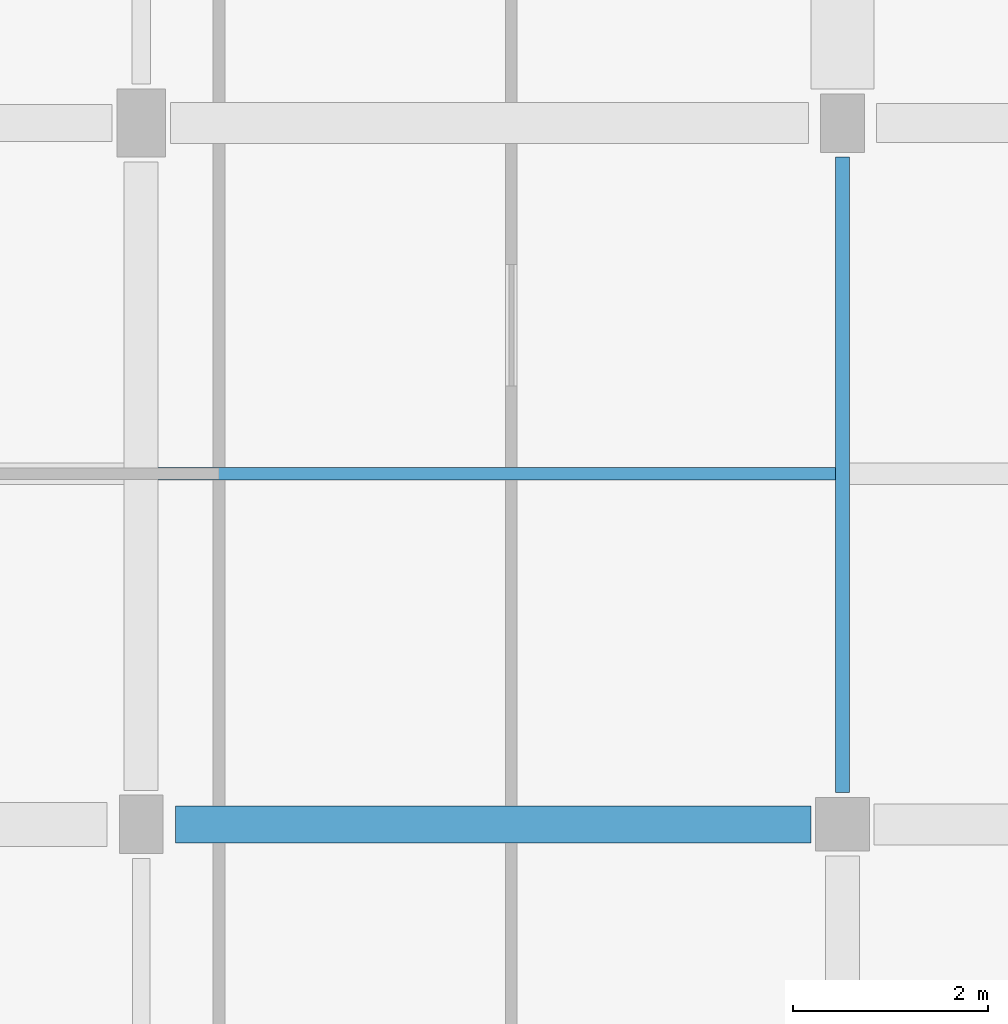
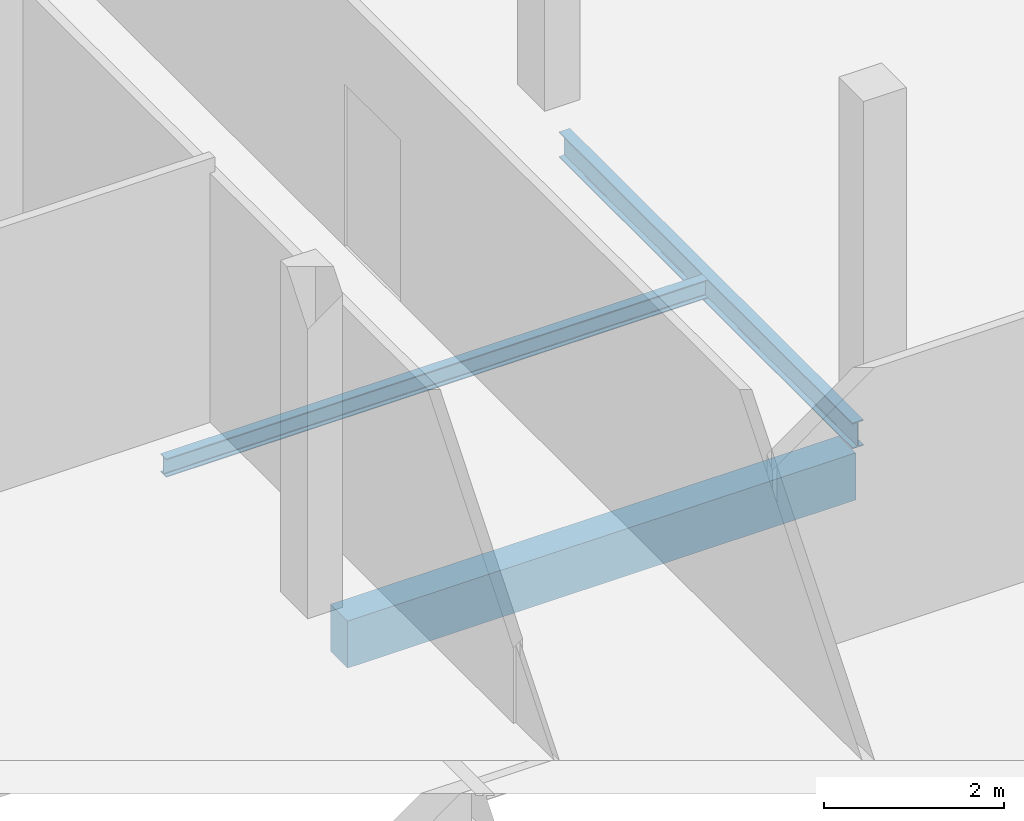
# One storey, part 26 of 87: 3 beams.
"""IFC4 building model written with IfcOpenShell, lengths in metres."""

import ifcopenshell
import ifcopenshell.guid

model = None  # the IFC model being written
_history = None  # IfcOwnerHistory: only IFC2X3 demands one
_inside = {}  # id of a spatial element -> (the spatial element, [elements in it])
_under = {}  # id of a project, library or spatial element -> (it, [spatial elements below it])
_declared = {}  # id of a project -> (the project, [libraries it declares])
_typed = {}  # id of a type object -> (the type object, [elements of that type])
_made_of = {}  # id of a material, layer set ... -> (it, [elements and type objects made of it])


def new_model(schema):
    """Start an empty IFC model of exactly this schema.

    Asked for "IFC4X3", IfcOpenShell would pick the latest addendum, in which some entities
    have other attributes; the version numbers below select the first issue.
    IFC2X3 requires an IfcOwnerHistory on every rooted entity: one is made here for all.
    """
    global model, _history
    if schema == "IFC4X3":
        model = ifcopenshell.file(schema_version=(4, 3, 0, 0))
    else:
        model = ifcopenshell.file(schema=schema)
    _inside.clear()
    _under.clear()
    _declared.clear()
    _typed.clear()
    _made_of.clear()
    _history = None
    if model.schema == "IFC2X3":
        org = make("IfcOrganization", Name="unknown")
        user = make(
            "IfcPersonAndOrganization",
            ThePerson=make("IfcPerson", FamilyName="unknown"),
            TheOrganization=org,
        )
        app = make(
            "IfcApplication",
            ApplicationDeveloper=org,
            Version="unknown",
            ApplicationFullName="unknown",
            ApplicationIdentifier="unknown",
        )
        _history = make(
            "IfcOwnerHistory",
            OwningUser=user,
            OwningApplication=app,
            ChangeAction="ADDED",
            CreationDate=0,
        )
    return model


def make(cls, **values):
    """One entity of the class cls with the attributes given. An attribute that is None is left unset."""
    return model.create_entity(
        cls, **{name: value for name, value in values.items() if value is not None}
    )


def rooted(cls, **values):
    """An entity with a GlobalId (a new one), such as an element, a storey or a relation."""
    return make(cls, GlobalId=ifcopenshell.guid.new(), OwnerHistory=_history, **values)


def si_unit(unit_type, name, prefix=None):
    """IfcSIUnit, for example si_unit("LENGTHUNIT", "METRE", prefix="MILLI")."""
    return make("IfcSIUnit", UnitType=unit_type, Prefix=prefix, Name=name)


def assignment(units):
    """IfcUnitAssignment: the units of a project."""
    return None if units is None else make("IfcUnitAssignment", Units=units)


def point(xyz):
    """IfcCartesianPoint."""
    return None if xyz is None else make("IfcCartesianPoint", Coordinates=xyz)


def direction(xyz):
    """IfcDirection."""
    return None if xyz is None else make("IfcDirection", DirectionRatios=xyz)


def frame(location, z_axis=None, x_axis=None):
    """IfcAxis2Placement3D, a coordinate frame: its origin and axes. An axis left out is left unset."""
    return make(
        "IfcAxis2Placement3D",
        Location=point(location),
        Axis=direction(z_axis),
        RefDirection=direction(x_axis),
    )


def frame_2d(location, x_axis=None):
    """IfcAxis2Placement2D, a coordinate frame in the plane: its origin and x axis."""
    return make(
        "IfcAxis2Placement2D", Location=point(location), RefDirection=direction(x_axis)
    )


def origin():
    """The frame at (0, 0, 0) with its axes left unset."""
    return frame((0.0, 0.0, 0.0))


def origin_2d():
    """The frame at (0, 0) in the plane with its x axis left unset."""
    return frame_2d((0.0, 0.0))


def place(relative_to, where):
    """IfcLocalPlacement: puts the frame where relative to a parent placement (None: the world)."""
    return make(
        "IfcLocalPlacement", PlacementRelTo=relative_to, RelativePlacement=where
    )


def context(
    kind, dimensions, precision=None, world=None, true_north=None, identifier=None
):
    """IfcGeometricRepresentationContext, for example the 3D "Model" context."""
    return make(
        "IfcGeometricRepresentationContext",
        ContextIdentifier=identifier,
        ContextType=kind,
        CoordinateSpaceDimension=dimensions,
        Precision=precision,
        WorldCoordinateSystem=world,
        TrueNorth=true_north,
    )


def subcontext(parent, identifier, kind, view, scale=None):
    """IfcGeometricRepresentationSubContext, for example "Body" below "Model"."""
    return make(
        "IfcGeometricRepresentationSubContext",
        ContextIdentifier=identifier,
        ContextType=kind,
        ParentContext=parent,
        TargetScale=scale,
        TargetView=view,
    )


def project(units=None, contexts=None):
    """IfcProject with its units and contexts."""
    return rooted(
        "IfcProject",
        Name="project",
        RepresentationContexts=contexts,
        UnitsInContext=assignment(units),
    )


def spatial(cls, under=None, at=None, **own):
    """A site, building, storey or space (cls), placed at a placement, below another one or the project."""
    s = rooted(cls, ObjectPlacement=at, **own)
    if under is not None:
        _under.setdefault(under.id(), (under, []))[1].append(s)
    return s


def profile(cls, at=None, kind="AREA", **sizes):
    """A parametric profile (cls). Its sizes go by their IFC names, for example OverallWidth=200.0."""
    return make(cls, ProfileType=kind, Position=at, **sizes)


def rectangle(**sizes):
    """IfcRectangleProfileDef."""
    return profile("IfcRectangleProfileDef", **sizes)


def i_section(**sizes):
    """IfcIShapeProfileDef."""
    return profile("IfcIShapeProfileDef", **sizes)


def extrude(swept, where, along, depth):
    """IfcExtrudedAreaSolid: the profile swept, set in the frame where, extruded along a direction by depth."""
    return make(
        "IfcExtrudedAreaSolid",
        SweptArea=swept,
        Position=where,
        ExtrudedDirection=direction(along),
        Depth=depth,
    )


def shape(context_of_items, identifier, shape_type, items):
    """IfcShapeRepresentation: the items that make up one representation, for example the "Body"."""
    return make(
        "IfcShapeRepresentation",
        ContextOfItems=context_of_items,
        RepresentationIdentifier=identifier,
        RepresentationType=shape_type,
        Items=items,
    )


def material(Name=None, Category=None):
    """IfcMaterial."""
    return make("IfcMaterial", Name=Name, Category=Category)


def material_profile(
    of_material, cross_section, Name=None, Category=None, Priority=None
):
    """IfcMaterialProfile: a cross section and its material."""
    return make(
        "IfcMaterialProfile",
        Name=Name,
        Material=of_material,
        Profile=cross_section,
        Priority=Priority,
        Category=Category,
    )


def profile_set(profiles, Name=None, composite=None):
    """IfcMaterialProfileSet."""
    return make(
        "IfcMaterialProfileSet",
        Name=Name,
        MaterialProfiles=profiles,
        CompositeProfile=composite,
    )


def made_of(thing, what):
    """Note that an element or type object is made of a material, layer set ...; save() writes the relation."""
    if what is not None:
        _made_of.setdefault(what.id(), (what, []))[1].append(thing)
    return thing


def type_object(cls, material=None, **own):
    """A type object (cls), such as IfcWallType, which elements share."""
    return made_of(rooted(cls, **own), material)


def element(
    cls,
    number,
    at=None,
    inside=None,
    cuts=None,
    type_object=None,
    material=None,
    context=None,
    identifier="Body",
    shape_type=None,
    held_by="IfcProductDefinitionShape",
    body=None,
    shapes=None,
    **own,
):
    """One element of the class cls, such as IfcWall. Its Tag is "e" and its number.

    at: its placement. inside: the storey or other place that contains it. cuts: it is an
    opening in that element (IfcRelVoidsElement). A single representation is given by context,
    identifier, shape_type and body (its items); several are given by shapes. held_by: the class
    of the entity that holds the representations. save() writes the other relations.
    """
    e = rooted(cls, Tag="e%d" % number, ObjectPlacement=at, **own)
    if body is not None:
        shapes = [shape(context, identifier, shape_type, body)]
    if shapes is not None:
        e.Representation = make(held_by, Representations=shapes)
    if inside is not None:
        _inside.setdefault(inside.id(), (inside, []))[1].append(e)
    if cuts is not None:
        rooted(
            "IfcRelVoidsElement", RelatingBuildingElement=cuts, RelatedOpeningElement=e
        )
    if type_object is not None:
        _typed.setdefault(type_object.id(), (type_object, []))[1].append(e)
    return made_of(e, material)


def aggregate(whole, parts):
    """IfcRelAggregates: a whole, such as a stair, and the parts it consists of."""
    return rooted("IfcRelAggregates", RelatingObject=whole, RelatedObjects=parts)


def save(model, path):
    """Write the relations noted so far, then the file.

    IfcRelAggregates (storeys below a building ...), IfcRelContainedInSpatialStructure (elements
    in a storey), IfcRelDefinesByType, IfcRelAssociatesMaterial and IfcRelDeclares: one each for
    every whole, place, type object, material and project.
    """
    for whole, parts in _under.values():
        aggregate(whole, parts)
    for where, things in _inside.values():
        rooted(
            "IfcRelContainedInSpatialStructure",
            RelatedElements=things,
            RelatingStructure=where,
        )
    for kind, things in _typed.values():
        rooted("IfcRelDefinesByType", RelatedObjects=things, RelatingType=kind)
    for what, things in _made_of.values():
        rooted("IfcRelAssociatesMaterial", RelatedObjects=things, RelatingMaterial=what)
    for by, libraries in _declared.values():
        rooted("IfcRelDeclares", RelatingContext=by, RelatedDefinitions=libraries)
    model.write(path)


model = new_model("IFC4")

# Units and contexts
model_context = context("Model", 3, precision=1e-05, world=origin(), true_north=direction((0.0, 1.0)))
body_context = subcontext(model_context, "Body", "Model", "MODEL_VIEW")
ifc_project = project(units=[si_unit("LENGTHUNIT", "METRE"), si_unit("AREAUNIT", "SQUARE_METRE"), si_unit("VOLUMEUNIT", "CUBIC_METRE"), si_unit("PLANEANGLEUNIT", "RADIAN"), si_unit("MASSUNIT", "GRAM", prefix="KILO")], contexts=[model_context])

# Site, building, storey
site_placement = place(None, origin())
site = spatial("IfcSite", under=ifc_project, at=site_placement, CompositionType="ELEMENT")
building_placement = place(site_placement, origin())
building = spatial("IfcBuilding", under=site, at=building_placement, Name="Kalluvel Institute of Natural Sciences", CompositionType="ELEMENT")
storey_placement = place(building_placement, frame((0.0, 0.0, 18.89990234375)))
storey = spatial("IfcBuildingStorey", under=building, at=storey_placement, Name="L04", CompositionType="ELEMENT", Elevation=18.89990234375)

# Beams
ifc_material_1 = material(Name="Steel E350 Grade 350", Category="steel")
ifc_material_profile_1 = material_profile(ifc_material_1, i_section(OverallWidth=0.139892578125, OverallDepth=0.35009765625, WebThickness=0.008056640625, FlangeThickness=0.01416015625, FilletRadius=0.013916015625, at=origin_2d()), Name="ISMB 350")
ifc_profile_set_1 = profile_set([ifc_material_profile_1], Name="Steel E350 Grade 350")
beam_type_1 = type_object("IfcBeamType", Name="BM-ISMB350", PredefinedType="BEAM", material=ifc_profile_set_1)
beam_1_placement = place(storey_placement, frame((28.39990234375, 79.125, -0.474853515625), z_axis=(0.0, 1.0, 0.0), x_axis=(-1.0, 0.0, 0.0)))
element("IfcBeam", 1, at=beam_1_placement, inside=storey, type_object=beam_type_1, Name="L04 girder GIR-L04-NS-X284-Y788", PredefinedType="BEAM", context=body_context, shape_type="SweptSolid", body=[
    extrude(i_section(OverallWidth=0.139892578125, OverallDepth=0.35009765625, WebThickness=0.008056640625, FlangeThickness=0.01416015625, FilletRadius=0.013916015625, at=origin_2d()), origin(), (0.0, 0.0, 1.0), 6.52490234375),
])
ifc_material_2 = material(Name="Concrete M40", Category="concrete")
ifc_material_profile_2 = material_profile(ifc_material_2, rectangle(XDim=0.3798828125, YDim=0.639892578125, at=origin_2d()), Name="RCB 380x640")
ifc_profile_set_2 = profile_set([ifc_material_profile_2], Name="Concrete M40")
beam_type_2 = type_object("IfcBeamType", Name="BM-RC380x640", PredefinedType="BEAM", material=ifc_profile_set_2)
beam_2_placement = place(storey_placement, frame((21.550048828125, 78.800048828125, -0.619873046875), z_axis=(1.0, 0.0, 0.0), x_axis=(0.0, 1.0, 0.0)))
element("IfcBeam", 2, at=beam_2_placement, inside=storey, type_object=beam_type_2, Name="L04 girder GIR-L04-EW-X212-Y788", PredefinedType="BEAM", context=body_context, shape_type="SweptSolid", body=[
    extrude(rectangle(XDim=0.3798828125, YDim=0.639892578125, at=origin_2d()), origin(), (0.0, 0.0, 1.0), 6.52490234375),
])
ifc_material_profile_3 = material_profile(ifc_material_1, i_section(OverallWidth=0.125, OverallDepth=0.25, WebThickness=0.0068359375, FlangeThickness=0.012451171875, FilletRadius=0.012939453125, at=origin_2d()), Name="ISMB 250")
ifc_profile_set_3 = profile_set([ifc_material_profile_3], Name="Steel E350 Grade 350")
beam_type_3 = type_object("IfcBeamType", Name="WJ-ISMB250", PredefinedType="JOIST", material=ifc_profile_set_3)
beam_3_placement = place(storey_placement, frame((21.375, 82.39990234375, -0.4248046875), z_axis=(1.0, 0.0, 0.0), x_axis=(0.0, 1.0, 0.0)))
element("IfcBeam", 3, at=beam_3_placement, inside=storey, type_object=beam_type_3, Name="L04 floor rib RIB-L04-0732", PredefinedType="JOIST", context=body_context, shape_type="SweptSolid", body=[
    extrude(i_section(OverallWidth=0.125, OverallDepth=0.25, WebThickness=0.0068359375, FlangeThickness=0.012451171875, FilletRadius=0.012939453125, at=origin_2d()), origin(), (0.0, 0.0, 1.0), 6.955078125),
])

save(model, "model.ifc")
